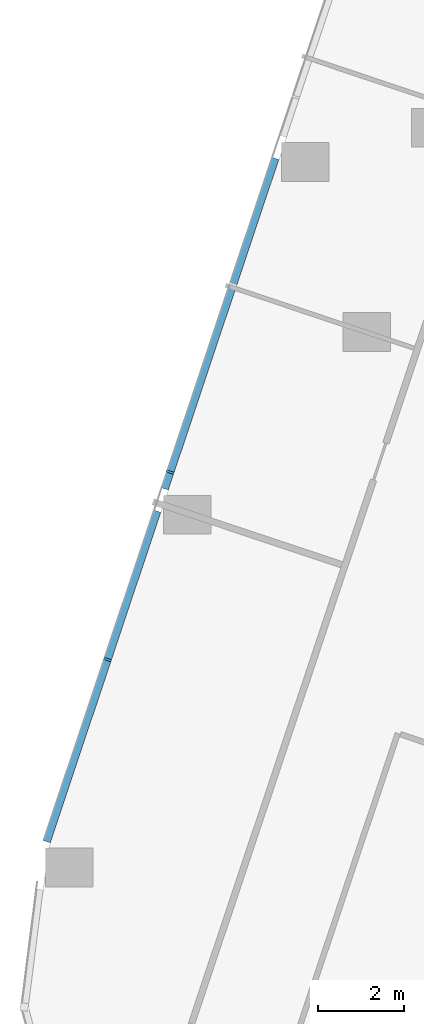
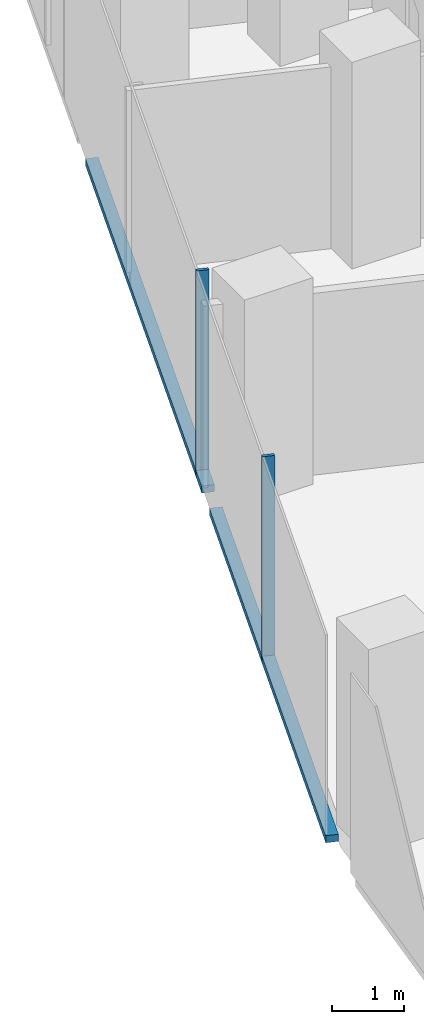
# One storey, part 4 of 32: 4 members, 1 element without a shape of its own.
"""IFC4 building model written with IfcOpenShell, lengths in metres."""

import ifcopenshell
import ifcopenshell.guid

model = None  # the IFC model being written
_history = None  # IfcOwnerHistory: only IFC2X3 demands one
_inside = {}  # id of a spatial element -> (the spatial element, [elements in it])
_under = {}  # id of a project, library or spatial element -> (it, [spatial elements below it])
_declared = {}  # id of a project -> (the project, [libraries it declares])
_typed = {}  # id of a type object -> (the type object, [elements of that type])
_made_of = {}  # id of a material, layer set ... -> (it, [elements and type objects made of it])


def new_model(schema):
    """Start an empty IFC model of exactly this schema.

    Asked for "IFC4X3", IfcOpenShell would pick the latest addendum, in which some entities
    have other attributes; the version numbers below select the first issue.
    IFC2X3 requires an IfcOwnerHistory on every rooted entity: one is made here for all.
    """
    global model, _history
    if schema == "IFC4X3":
        model = ifcopenshell.file(schema_version=(4, 3, 0, 0))
    else:
        model = ifcopenshell.file(schema=schema)
    _inside.clear()
    _under.clear()
    _declared.clear()
    _typed.clear()
    _made_of.clear()
    _history = None
    if model.schema == "IFC2X3":
        org = make("IfcOrganization", Name="unknown")
        user = make(
            "IfcPersonAndOrganization",
            ThePerson=make("IfcPerson", FamilyName="unknown"),
            TheOrganization=org,
        )
        app = make(
            "IfcApplication",
            ApplicationDeveloper=org,
            Version="unknown",
            ApplicationFullName="unknown",
            ApplicationIdentifier="unknown",
        )
        _history = make(
            "IfcOwnerHistory",
            OwningUser=user,
            OwningApplication=app,
            ChangeAction="ADDED",
            CreationDate=0,
        )
    return model


def make(cls, **values):
    """One entity of the class cls with the attributes given. An attribute that is None is left unset."""
    return model.create_entity(
        cls, **{name: value for name, value in values.items() if value is not None}
    )


def rooted(cls, **values):
    """An entity with a GlobalId (a new one), such as an element, a storey or a relation."""
    return make(cls, GlobalId=ifcopenshell.guid.new(), OwnerHistory=_history, **values)


def si_unit(unit_type, name, prefix=None):
    """IfcSIUnit, for example si_unit("LENGTHUNIT", "METRE", prefix="MILLI")."""
    return make("IfcSIUnit", UnitType=unit_type, Prefix=prefix, Name=name)


def assignment(units):
    """IfcUnitAssignment: the units of a project."""
    return None if units is None else make("IfcUnitAssignment", Units=units)


def point(xyz):
    """IfcCartesianPoint."""
    return None if xyz is None else make("IfcCartesianPoint", Coordinates=xyz)


def direction(xyz):
    """IfcDirection."""
    return None if xyz is None else make("IfcDirection", DirectionRatios=xyz)


def frame(location, z_axis=None, x_axis=None):
    """IfcAxis2Placement3D, a coordinate frame: its origin and axes. An axis left out is left unset."""
    return make(
        "IfcAxis2Placement3D",
        Location=point(location),
        Axis=direction(z_axis),
        RefDirection=direction(x_axis),
    )


def frame_2d(location, x_axis=None):
    """IfcAxis2Placement2D, a coordinate frame in the plane: its origin and x axis."""
    return make(
        "IfcAxis2Placement2D", Location=point(location), RefDirection=direction(x_axis)
    )


def origin():
    """The frame at (0, 0, 0) with its axes left unset."""
    return frame((0.0, 0.0, 0.0))


def origin_2d():
    """The frame at (0, 0) in the plane with its x axis left unset."""
    return frame_2d((0.0, 0.0))


def place(relative_to, where):
    """IfcLocalPlacement: puts the frame where relative to a parent placement (None: the world)."""
    return make(
        "IfcLocalPlacement", PlacementRelTo=relative_to, RelativePlacement=where
    )


def context(
    kind, dimensions, precision=None, world=None, true_north=None, identifier=None
):
    """IfcGeometricRepresentationContext, for example the 3D "Model" context."""
    return make(
        "IfcGeometricRepresentationContext",
        ContextIdentifier=identifier,
        ContextType=kind,
        CoordinateSpaceDimension=dimensions,
        Precision=precision,
        WorldCoordinateSystem=world,
        TrueNorth=true_north,
    )


def subcontext(parent, identifier, kind, view, scale=None):
    """IfcGeometricRepresentationSubContext, for example "Body" below "Model"."""
    return make(
        "IfcGeometricRepresentationSubContext",
        ContextIdentifier=identifier,
        ContextType=kind,
        ParentContext=parent,
        TargetScale=scale,
        TargetView=view,
    )


def project(units=None, contexts=None):
    """IfcProject with its units and contexts."""
    return rooted(
        "IfcProject",
        Name="project",
        RepresentationContexts=contexts,
        UnitsInContext=assignment(units),
    )


def spatial(cls, under=None, at=None, **own):
    """A site, building, storey or space (cls), placed at a placement, below another one or the project."""
    s = rooted(cls, ObjectPlacement=at, **own)
    if under is not None:
        _under.setdefault(under.id(), (under, []))[1].append(s)
    return s


def profile(cls, at=None, kind="AREA", **sizes):
    """A parametric profile (cls). Its sizes go by their IFC names, for example OverallWidth=200.0."""
    return make(cls, ProfileType=kind, Position=at, **sizes)


def rectangle(**sizes):
    """IfcRectangleProfileDef."""
    return profile("IfcRectangleProfileDef", **sizes)


def extrude(swept, where, along, depth):
    """IfcExtrudedAreaSolid: the profile swept, set in the frame where, extruded along a direction by depth."""
    return make(
        "IfcExtrudedAreaSolid",
        SweptArea=swept,
        Position=where,
        ExtrudedDirection=direction(along),
        Depth=depth,
    )


def shape(context_of_items, identifier, shape_type, items):
    """IfcShapeRepresentation: the items that make up one representation, for example the "Body"."""
    return make(
        "IfcShapeRepresentation",
        ContextOfItems=context_of_items,
        RepresentationIdentifier=identifier,
        RepresentationType=shape_type,
        Items=items,
    )


def material(Name=None, Category=None):
    """IfcMaterial."""
    return make("IfcMaterial", Name=Name, Category=Category)


def material_profile(
    of_material, cross_section, Name=None, Category=None, Priority=None
):
    """IfcMaterialProfile: a cross section and its material."""
    return make(
        "IfcMaterialProfile",
        Name=Name,
        Material=of_material,
        Profile=cross_section,
        Priority=Priority,
        Category=Category,
    )


def profile_set(profiles, Name=None, composite=None):
    """IfcMaterialProfileSet."""
    return make(
        "IfcMaterialProfileSet",
        Name=Name,
        MaterialProfiles=profiles,
        CompositeProfile=composite,
    )


def made_of(thing, what):
    """Note that an element or type object is made of a material, layer set ...; save() writes the relation."""
    if what is not None:
        _made_of.setdefault(what.id(), (what, []))[1].append(thing)
    return thing


def type_object(cls, material=None, **own):
    """A type object (cls), such as IfcWallType, which elements share."""
    return made_of(rooted(cls, **own), material)


def element(
    cls,
    number,
    at=None,
    inside=None,
    cuts=None,
    type_object=None,
    material=None,
    context=None,
    identifier="Body",
    shape_type=None,
    held_by="IfcProductDefinitionShape",
    body=None,
    shapes=None,
    **own,
):
    """One element of the class cls, such as IfcWall. Its Tag is "e" and its number.

    at: its placement. inside: the storey or other place that contains it. cuts: it is an
    opening in that element (IfcRelVoidsElement). A single representation is given by context,
    identifier, shape_type and body (its items); several are given by shapes. held_by: the class
    of the entity that holds the representations. save() writes the other relations.
    """
    e = rooted(cls, Tag="e%d" % number, ObjectPlacement=at, **own)
    if body is not None:
        shapes = [shape(context, identifier, shape_type, body)]
    if shapes is not None:
        e.Representation = make(held_by, Representations=shapes)
    if inside is not None:
        _inside.setdefault(inside.id(), (inside, []))[1].append(e)
    if cuts is not None:
        rooted(
            "IfcRelVoidsElement", RelatingBuildingElement=cuts, RelatedOpeningElement=e
        )
    if type_object is not None:
        _typed.setdefault(type_object.id(), (type_object, []))[1].append(e)
    return made_of(e, material)


def aggregate(whole, parts):
    """IfcRelAggregates: a whole, such as a stair, and the parts it consists of."""
    return rooted("IfcRelAggregates", RelatingObject=whole, RelatedObjects=parts)


def save(model, path):
    """Write the relations noted so far, then the file.

    IfcRelAggregates (storeys below a building ...), IfcRelContainedInSpatialStructure (elements
    in a storey), IfcRelDefinesByType, IfcRelAssociatesMaterial and IfcRelDeclares: one each for
    every whole, place, type object, material and project.
    """
    for whole, parts in _under.values():
        aggregate(whole, parts)
    for where, things in _inside.values():
        rooted(
            "IfcRelContainedInSpatialStructure",
            RelatedElements=things,
            RelatingStructure=where,
        )
    for kind, things in _typed.values():
        rooted("IfcRelDefinesByType", RelatedObjects=things, RelatingType=kind)
    for what, things in _made_of.values():
        rooted("IfcRelAssociatesMaterial", RelatedObjects=things, RelatingMaterial=what)
    for by, libraries in _declared.values():
        rooted("IfcRelDeclares", RelatingContext=by, RelatedDefinitions=libraries)
    model.write(path)


model = new_model("IFC4")

# Units and contexts
model_context = context("Model", 3, precision=1e-05, world=origin(), true_north=direction((0.0, 1.0)))
body_context = subcontext(model_context, "Body", "Model", "MODEL_VIEW")
ifc_project = project(units=[si_unit("LENGTHUNIT", "METRE"), si_unit("AREAUNIT", "SQUARE_METRE"), si_unit("VOLUMEUNIT", "CUBIC_METRE"), si_unit("PLANEANGLEUNIT", "RADIAN"), si_unit("MASSUNIT", "GRAM", prefix="KILO")], contexts=[model_context])

# Site, building, storey
site_placement = place(None, origin())
site = spatial("IfcSite", under=ifc_project, at=site_placement, CompositionType="ELEMENT")
building_placement = place(site_placement, origin())
building = spatial("IfcBuilding", under=site, at=building_placement, Name="Orlundy Tower", CompositionType="ELEMENT")
storey_placement = place(building_placement, frame((0.0, 0.0, 152.60009765625)))
storey = spatial("IfcBuildingStorey", under=building, at=storey_placement, Name="L39", CompositionType="ELEMENT", Elevation=152.60009765625)

# Curtain wall, members
ifc_material_1 = material(Name="Aluminium bronze anodised", Category="aluminium")
curtain_wall_type = type_object("IfcCurtainWallType", Name="CW1 wall", PredefinedType="NOTDEFINED", material=ifc_material_1)
curtain_wall_placement = place(storey_placement, origin())
curtain_wall = element("IfcCurtainWall", 1, at=curtain_wall_placement, inside=storey, type_object=curtain_wall_type, Name="CW1 run 012", PredefinedType="NOTDEFINED")
ifc_material_2 = material(Name="Aluminium bronze anodised", Category="aluminium")
ifc_material_profile_1 = material_profile(ifc_material_2, rectangle(XDim=0.179931640625, YDim=0.050048828125, at=origin_2d()), Name="CW1 mullion 50x180")
ifc_profile_set_1 = profile_set([ifc_material_profile_1], Name="Aluminium bronze anodised")
member_type_1 = type_object("IfcMemberType", Name="CW1 mullion 50x180", PredefinedType="MULLION", material=ifc_profile_set_1)
member_1_placement = place(storey_placement, frame((-33.46142578125, -36.689697265625, -0.400146484375), z_axis=(0.0, 0.0, 1.0), x_axis=(-0.948326756752, 0.317295386712, 0.0)))
member_1 = element("IfcMember", 2, at=member_1_placement, type_object=member_type_1, Name="CW1 mullion 27", PredefinedType="MULLION", context=body_context, shape_type="SweptSolid", body=[
    extrude(rectangle(XDim=0.179931640625, YDim=0.050048828125, at=origin_2d()), origin(), (0.0, 0.0, 1.0), 3.5),
])
member_2_placement = place(storey_placement, frame((-32.00537109375, -32.338134765625, -0.400146484375), z_axis=(0.0, 0.0, 1.0), x_axis=(-0.948326756752, 0.317295386712, 0.0)))
member_2 = element("IfcMember", 3, at=member_2_placement, type_object=member_type_1, Name="CW1 mullion 28", PredefinedType="MULLION", context=body_context, shape_type="SweptSolid", body=[
    extrude(rectangle(XDim=0.179931640625, YDim=0.050048828125, at=origin_2d()), origin(), (0.0, 0.0, 1.0), 3.5),
])
ifc_material_3 = material(Name="Aluminium bronze anodised", Category="aluminium")
ifc_material_profile_2 = material_profile(ifc_material_3, rectangle(XDim=0.179931640625, YDim=0.1201171875, at=origin_2d()), Name="CW1 transom 180x120")
ifc_profile_set_2 = profile_set([ifc_material_profile_2], Name="Aluminium bronze anodised")
member_type_2 = type_object("IfcMemberType", Name="CW1 transom 180x120", PredefinedType="USERDEFINED", material=ifc_profile_set_2)
member_3_placement = place(storey_placement, frame((-34.875, -40.9150390625, -0.340087890625), z_axis=(0.317277721092, 0.94833266721, 0.0), x_axis=(-0.94833266721, 0.317277721092, 0.0)))
member_3 = element("IfcMember", 4, at=member_3_placement, type_object=member_type_2, Name="CW1 transom", ObjectType="TRANSOM", PredefinedType="USERDEFINED", context=body_context, shape_type="SweptSolid", body=[
    extrude(rectangle(XDim=0.179931640625, YDim=0.1201171875, at=origin_2d()), origin(), (0.0, 0.0, 1.0), 8.09033203125),
])
member_4_placement = place(storey_placement, frame((-32.135009765625, -32.72607421875, -0.340087890625), z_axis=(0.317269039008, 0.948335571877, 0.0), x_axis=(-0.948335571877, 0.317269039008, 0.0)))
member_4 = element("IfcMember", 5, at=member_4_placement, type_object=member_type_2, Name="CW1 transom", ObjectType="TRANSOM", PredefinedType="USERDEFINED", context=body_context, shape_type="SweptSolid", body=[
    extrude(rectangle(XDim=0.179931640625, YDim=0.1201171875, at=origin_2d()), origin(), (0.0, 0.0, 1.0), 8.08740234375),
])
aggregate(curtain_wall, [member_1, member_2, member_3, member_4])

save(model, "model.ifc")
